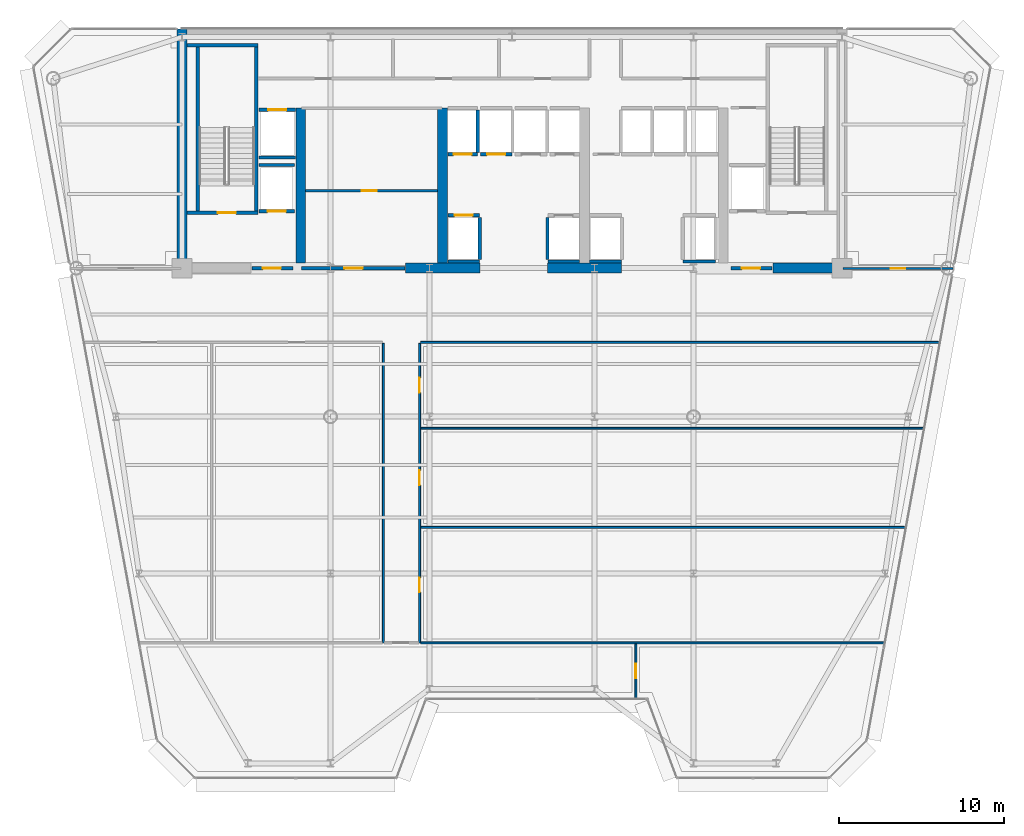
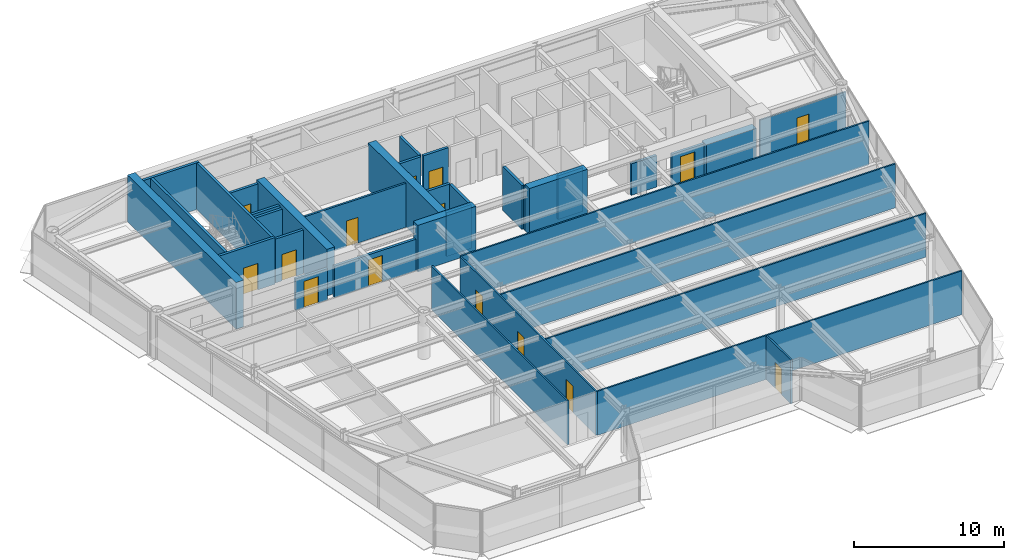
# One storey, part 10 of 16: 36 walls, 15 doors, 15 openings.
"""IFC4 building model written with IfcOpenShell, lengths in metres."""

from ifc_helpers import new_model, si_unit, direction, frame, frame_2d, origin, place, context, subcontext, project, spatial, rectangle, extrude, source, transform, mapped, material, layer, layer_set, type_object, element, fill, save


model = new_model("IFC4")

# Units and contexts
model_context = context("Model", 3, precision=1e-05, world=origin(), true_north=direction((0.0, 1.0)))
body_context = subcontext(model_context, "Body", "Model", "MODEL_VIEW")
ifc_project = project(units=[si_unit("LENGTHUNIT", "METRE"), si_unit("AREAUNIT", "SQUARE_METRE"), si_unit("VOLUMEUNIT", "CUBIC_METRE"), si_unit("PLANEANGLEUNIT", "RADIAN"), si_unit("MASSUNIT", "GRAM", prefix="KILO")], contexts=[model_context])

# Site, building, storey
site_placement = place(None, origin())
site = spatial("IfcSite", under=ifc_project, at=site_placement, CompositionType="ELEMENT")
building_placement = place(site_placement, origin())
building = spatial("IfcBuilding", under=site, at=building_placement, Name="Vaeldorn Concourse Tower", CompositionType="ELEMENT")
storey_placement = place(building_placement, frame((0.0, 0.0, 195.60009765625)))
storey = spatial("IfcBuildingStorey", under=building, at=storey_placement, Name="L50", CompositionType="ELEMENT", Elevation=195.60009765625)

# Walls
ifc_material_1 = material(Name="Concrete C50/60", Category="concrete")
ifc_layer_1 = layer(ifc_material_1, 0.60009765625)
ifc_layer_set_1 = layer_set([ifc_layer_1], Name="Concrete C50/60")
wall_type_1 = type_object("IfcWallType", Name="WL-CORE-600", PredefinedType="SHEAR", material=ifc_layer_set_1)
wall_1_placement = place(storey_placement, frame((14.0, 36.5, 0.0), z_axis=(0.0, 0.0, 1.0), x_axis=(0.0, 1.0, 0.0)))
element("IfcWall", 1, at=wall_1_placement, inside=storey, type_object=wall_type_1, Name="Rear Core Shear Wall L50 W1", PredefinedType="SHEAR", context=body_context, shape_type="SweptSolid", body=[
    extrude(rectangle(XDim=14.5, YDim=0.60009765625, at=frame_2d((7.25, 0.0))), origin(), (0.0, 0.0, 1.0), 3.7998046875),
])
for number, where, z_axis, x_axis, name in (
    (2, (27.550048828125, 36.5, 0.0), (0.0, 0.0, 1.0), (1.0, 0.0, 0.0), "Rear Core Shear Wall L50 S2"),
    (3, (36.14990234375, 36.5, 0.0), (0.0, 0.0, 1.0), (1.0, 0.0, 0.0), "Rear Core Shear Wall L50 S3"),
):
    element("IfcWall", number, at=place(storey_placement, frame(where, z_axis=z_axis, x_axis=x_axis)), inside=storey, type_object=wall_type_1, Name=name, PredefinedType="SHEAR", context=body_context, shape_type="SweptSolid", body=[
        extrude(rectangle(XDim=4.5, YDim=0.60009765625, at=frame_2d((2.25, 0.0))), origin(), (0.0, 0.0, 1.0), 3.7998046875),
    ])
wall_2_placement = place(storey_placement, frame((49.800048828125, 36.5, 0.0), z_axis=(0.0, 0.0, 1.0), x_axis=(1.0, 0.0, 0.0)))
element("IfcWall", 4, at=wall_2_placement, inside=storey, type_object=wall_type_1, Name="Rear Core Shear Wall L50 S4", PredefinedType="SHEAR", context=body_context, shape_type="SweptSolid", body=[
    extrude(rectangle(XDim=3.8798828125, YDim=0.60009765625, at=frame_2d((1.93994140625, 0.0))), origin(), (0.0, 0.0, 1.0), 2.579833984375),
])
for number, where, z_axis, x_axis, name in (
    (5, (21.199951171875, 36.820068359375, 0.0), (0.0, 0.0, 1.0), (0.0, 1.0, 0.0), "Rear Core Shear Wall L50 M1"),
    (6, (29.800048828125, 36.820068359375, 0.0), (0.0, 0.0, 1.0), (0.0, 1.0, 0.0), "Rear Core Shear Wall L50 M2"),
):
    element("IfcWall", number, at=place(storey_placement, frame(where, z_axis=z_axis, x_axis=x_axis)), inside=storey, type_object=wall_type_1, Name=name, PredefinedType="SHEAR", context=body_context, shape_type="SweptSolid", body=[
        extrude(rectangle(XDim=9.3798828125, YDim=0.60009765625, at=frame_2d((4.68994140625, 0.0))), origin(), (0.0, 0.0, 1.0), 3.7998046875),
    ])
ifc_material_2 = material(Name="Gypsum Board Partition", Category="gypsum")
ifc_layer_2 = layer(ifc_material_2, 0.1201171875)
ifc_layer_set_2 = layer_set([ifc_layer_2], Name="Gypsum Board Partition")
wall_type_2 = type_object("IfcWallType", Name="WL-PART-120", PredefinedType="PARTITIONING", material=ifc_layer_set_2)
wall_3_placement = place(storey_placement, frame((28.4599609375, 32.0, 0.0), z_axis=(0.0, 0.0, 1.0), x_axis=(1.0, 0.0, 0.0)))
element("IfcWall", 7, at=wall_3_placement, inside=storey, type_object=wall_type_2, Name="Interior Wall PW-L50-C2SE", PredefinedType="PARTITIONING", context=body_context, shape_type="SweptSolid", body=[
    extrude(rectangle(XDim=31.433837890625, YDim=0.1201171875, at=frame_2d((15.716796875, 0.0))), origin(), (0.0, 0.0, 1.0), 3.579833984375),
])
wall_4_placement = place(storey_placement, frame((26.199951171875, 13.800048828125, 0.0), z_axis=(0.0, 0.0, 1.0), x_axis=(0.0, 1.0, 0.0)))
element("IfcWall", 8, at=wall_4_placement, inside=storey, type_object=wall_type_2, Name="Interior Wall PW-L50-SP2W", PredefinedType="PARTITIONING", context=body_context, shape_type="SweptSolid", body=[
    extrude(rectangle(XDim=18.139892578125, YDim=0.1201171875, at=frame_2d((9.06982421875, 0.0))), origin(), (0.0, 0.0, 1.0), 3.579833984375),
])

# Wall, openings, doors
wall_5_placement = place(storey_placement, frame((28.39990234375, 13.800048828125, 0.0), z_axis=(0.0, 0.0, 1.0), x_axis=(0.0, 1.0, 0.0)))
wall_5 = element("IfcWall", 9, at=wall_5_placement, inside=storey, type_object=wall_type_2, Name="Interior Wall PW-L50-SP2E", PredefinedType="PARTITIONING", context=body_context, shape_type="SweptSolid", body=[
    extrude(rectangle(XDim=18.139892578125, YDim=0.1201171875, at=frame_2d((9.06982421875, 0.0))), origin(), (0.0, 0.0, 1.0), 3.579833984375),
])
opening_1_placement = place(wall_5_placement, frame((3.050048828125, 0.0, 0.0)))
opening_1 = element("IfcOpeningElement", 10, at=opening_1_placement, cuts=wall_5, Name="Opening D-03", PredefinedType="OPENING", context=body_context, shape_type="SweptSolid", body=[
    extrude(rectangle(XDim=0.89990234375, YDim=2.14990234375, at=frame_2d((0.449951171875, 1.074951171875))), frame((0.0, 0.070068359375, 0.0), z_axis=(0.0, -1.0, 0.0), x_axis=(1.0, 0.0, 0.0)), (0.0, 0.0, 1.0), 0.14013671875),
])
opening_2_placement = place(wall_5_placement, frame((9.550048828125, 0.0, 0.0)))
opening_2 = element("IfcOpeningElement", 11, at=opening_2_placement, cuts=wall_5, Name="Opening D-03", PredefinedType="OPENING", context=body_context, shape_type="SweptSolid", body=[
    extrude(rectangle(XDim=0.89990234375, YDim=2.14990234375, at=frame_2d((0.449951171875, 1.074951171875))), frame((0.0, 0.070068359375, 0.0), z_axis=(0.0, -1.0, 0.0), x_axis=(1.0, 0.0, 0.0)), (0.0, 0.0, 1.0), 0.14013671875),
])
opening_3_placement = place(wall_5_placement, frame((15.14990234375, 0.0, 0.0)))
opening_3 = element("IfcOpeningElement", 12, at=opening_3_placement, cuts=wall_5, Name="Opening D-03", PredefinedType="OPENING", context=body_context, shape_type="SweptSolid", body=[
    extrude(rectangle(XDim=0.89990234375, YDim=2.14990234375, at=frame_2d((0.449951171875, 1.074951171875))), frame((0.0, 0.070068359375, 0.0), z_axis=(0.0, -1.0, 0.0), x_axis=(1.0, 0.0, 0.0)), (0.0, 0.0, 1.0), 0.14013671875),
])
ifc_material_3 = material(Name="Acoustic Bronze-Framed Glass Door", Category="glass")
door_type_1 = type_object("IfcDoorType", Name="DR-INT-900", OperationType="NOTDEFINED", PredefinedType="DOOR", material=ifc_material_3)
shared_shape_1 = source(origin(), body_context, "Body", "SweptSolid", [
    extrude(rectangle(XDim=0.89990234375, YDim=2.14990234375, at=frame_2d((0.449951171875, 1.074951171875))), frame((0.0, 0.02490234375, 0.0), z_axis=(0.0, -1.0, 0.0), x_axis=(1.0, 0.0, 0.0)), (0.0, 0.0, 1.0), 0.050048828125),
])
door_1_placement = place(opening_1_placement, origin())
door_1 = element("IfcDoor", 13, at=door_1_placement, inside=storey, type_object=door_type_1, Name="Interior Door DR-L50-Z2E1", OperationType="SINGLE_SWING_RIGHT", OverallHeight=2.14990234375, OverallWidth=0.89990234375, PredefinedType="DOOR", context=body_context, shape_type="MappedRepresentation", body=[
    mapped(shared_shape_1, transform((0.0, 0.0, 0.0), scale=1.0)),
])
fill(opening_1, door_1)
door_2_placement = place(opening_2_placement, origin())
door_2 = element("IfcDoor", 14, at=door_2_placement, inside=storey, type_object=door_type_1, Name="Interior Door DR-L50-Z2E2", OperationType="SINGLE_SWING_LEFT", OverallHeight=2.14990234375, OverallWidth=0.89990234375, PredefinedType="DOOR", context=body_context, shape_type="MappedRepresentation", body=[
    mapped(shared_shape_1, transform((0.0, 0.0, 0.0), scale=1.0)),
])
fill(opening_2, door_2)
door_3_placement = place(opening_3_placement, origin())
door_3 = element("IfcDoor", 15, at=door_3_placement, inside=storey, type_object=door_type_1, Name="Interior Door DR-L50-Z2E3", OperationType="SINGLE_SWING_RIGHT", OverallHeight=2.14990234375, OverallWidth=0.89990234375, PredefinedType="DOOR", context=body_context, shape_type="MappedRepresentation", body=[
    mapped(shared_shape_1, transform((0.0, 0.0, 0.0), scale=1.0)),
])
fill(opening_3, door_3)

# Wall, opening, door
wall_6_placement = place(storey_placement, frame((54.06005859375, 36.47998046875, 0.0), z_axis=(0.0, 0.0, 1.0), x_axis=(1.0, 0.0, 0.0)))
wall_6 = element("IfcWall", 16, at=wall_6_placement, inside=storey, type_object=wall_type_2, Name="Interior Wall PW-L50-NES", PredefinedType="PARTITIONING", context=body_context, shape_type="SweptSolid", body=[
    extrude(rectangle(XDim=6.65087890625, YDim=0.1201171875, at=frame_2d((3.325439453125, 0.0))), origin(), (0.0, 0.0, 1.0), 2.969970703125),
])
opening_4_placement = place(wall_6_placement, frame((2.875, 0.0, 0.0)))
opening_4 = element("IfcOpeningElement", 17, at=opening_4_placement, cuts=wall_6, Name="Opening D-03", PredefinedType="OPENING", context=body_context, shape_type="SweptSolid", body=[
    extrude(rectangle(XDim=0.89990234375, YDim=2.14990234375, at=frame_2d((0.449951171875, 1.074951171875))), frame((0.0, 0.070068359375, 0.0), z_axis=(0.0, -1.0, 0.0), x_axis=(1.0, 0.0, 0.0)), (0.0, 0.0, 1.0), 0.14013671875),
])
door_4_placement = place(opening_4_placement, origin())
door_4 = element("IfcDoor", 18, at=door_4_placement, inside=storey, type_object=door_type_1, Name="Interior Door DR-L50-NEC", OperationType="SINGLE_SWING_RIGHT", OverallHeight=2.14990234375, OverallWidth=0.89990234375, PredefinedType="DOOR", context=body_context, shape_type="MappedRepresentation", body=[
    mapped(shared_shape_1, transform((0.0, 0.0, 0.0), scale=1.0)),
])
fill(opening_4, door_4)

# Wall
wall_7_placement = place(storey_placement, frame((28.4599609375, 13.800048828125, 0.0), z_axis=(0.0, 0.0, 1.0), x_axis=(1.0, 0.0, 0.0)))
element("IfcWall", 19, at=wall_7_placement, inside=storey, type_object=wall_type_2, Name="Interior Wall PW-L50-S2EL", PredefinedType="PARTITIONING", context=body_context, shape_type="SweptSolid", body=[
    extrude(rectangle(XDim=28.09228515625, YDim=0.1201171875, at=frame_2d((14.046142578125, 0.0))), origin(), (0.0, 0.0, 1.0), 3.579833984375),
])

# Wall, opening, door
wall_8_placement = place(storey_placement, frame((41.5, 10.43994140625, 0.0), z_axis=(0.0, 0.0, 1.0), x_axis=(0.0, 1.0, 0.0)))
wall_8 = element("IfcWall", 20, at=wall_8_placement, inside=storey, type_object=wall_type_2, Name="Interior Wall PW-L50-Z2SFX1", PredefinedType="PARTITIONING", context=body_context, shape_type="SweptSolid", body=[
    extrude(rectangle(XDim=3.300048828125, YDim=0.1201171875, at=frame_2d((1.64990234375, 0.0))), origin(), (0.0, 0.0, 1.0), 3.579833984375),
])
opening_5_placement = place(wall_8_placement, frame((1.199951171875, 0.0, 0.0)))
opening_5 = element("IfcOpeningElement", 21, at=opening_5_placement, cuts=wall_8, Name="Opening D-03", PredefinedType="OPENING", context=body_context, shape_type="SweptSolid", body=[
    extrude(rectangle(XDim=0.89990234375, YDim=2.14990234375, at=frame_2d((0.449951171875, 1.074951171875))), frame((0.0, 0.070068359375, 0.0), z_axis=(0.0, -1.0, 0.0), x_axis=(1.0, 0.0, 0.0)), (0.0, 0.0, 1.0), 0.14013671875),
])
door_5_placement = place(opening_5_placement, origin())
door_5 = element("IfcDoor", 22, at=door_5_placement, inside=storey, type_object=door_type_1, Name="Interior Door DR-L50-Z2SFX1", OperationType="SINGLE_SWING_RIGHT", OverallHeight=2.14990234375, OverallWidth=0.89990234375, PredefinedType="DOOR", context=body_context, shape_type="MappedRepresentation", body=[
    mapped(shared_shape_1, transform((0.0, 0.0, 0.0), scale=1.0)),
])
fill(opening_5, door_5)

# Walls
wall_9_placement = place(storey_placement, frame((28.4599609375, 20.800048828125, 0.0), z_axis=(0.0, 0.0, 1.0), x_axis=(1.0, 0.0, 0.0)))
element("IfcWall", 23, at=wall_9_placement, inside=storey, type_object=wall_type_2, Name="Interior Wall PW-L50-Z2EY1", PredefinedType="PARTITIONING", context=body_context, shape_type="SweptSolid", body=[
    extrude(rectangle(XDim=29.37744140625, YDim=0.1201171875, at=frame_2d((14.688720703125, 0.0))), origin(), (0.0, 0.0, 1.0), 3.579833984375),
])
wall_10_placement = place(storey_placement, frame((28.4599609375, 26.800048828125, 0.0), z_axis=(0.0, 0.0, 1.0), x_axis=(1.0, 0.0, 0.0)))
element("IfcWall", 24, at=wall_10_placement, inside=storey, type_object=wall_type_2, Name="Interior Wall PW-L50-Z2EY2", PredefinedType="PARTITIONING", context=body_context, shape_type="SweptSolid", body=[
    extrude(rectangle(XDim=30.479248046875, YDim=0.1201171875, at=frame_2d((15.23974609375, 0.0))), origin(), (0.0, 0.0, 1.0), 3.579833984375),
])

# Wall, opening, door
ifc_layer_3 = layer(ifc_material_2, 0.14990234375)
ifc_layer_set_3 = layer_set([ifc_layer_3], Name="Gypsum Board Partition")
wall_type_3 = type_object("IfcWallType", Name="WL-PART-150", PredefinedType="PARTITIONING", material=ifc_layer_set_3)
wall_11_placement = place(storey_placement, frame((21.5, 41.199951171875, 0.0), z_axis=(0.0, 0.0, 1.0), x_axis=(1.0, 0.0, 0.0)))
wall_11 = element("IfcWall", 25, at=wall_11_placement, inside=storey, type_object=wall_type_3, Name="Interior Wall CW-L50-R1M", PredefinedType="PARTITIONING", context=body_context, shape_type="SweptSolid", body=[
    extrude(rectangle(XDim=8.0, YDim=0.14990234375, at=frame_2d((4.0, 0.0))), origin(), (0.0, 0.0, 1.0), 3.579833984375),
])
opening_6_placement = place(wall_11_placement, frame((3.39990234375, 0.0, 0.0)))
opening_6 = element("IfcOpeningElement", 26, at=opening_6_placement, cuts=wall_11, Name="Opening D-02", PredefinedType="OPENING", context=body_context, shape_type="SweptSolid", body=[
    extrude(rectangle(XDim=0.89990234375, YDim=2.10009765625, at=frame_2d((0.449951171875, 1.050048828125))), frame((0.0, 0.0849609375, 0.0), z_axis=(0.0, -1.0, 0.0), x_axis=(1.0, 0.0, 0.0)), (0.0, 0.0, 1.0), 0.169921875),
])
ifc_material_4 = material(Name="Fire-Rated Timber Leaf", Category="wood")
door_type_2 = type_object("IfcDoorType", Name="DR-FD30-900", OperationType="NOTDEFINED", PredefinedType="DOOR", material=ifc_material_4)
shared_shape_2 = source(origin(), body_context, "Body", "SweptSolid", [
    extrude(rectangle(XDim=0.89990234375, YDim=2.10009765625, at=frame_2d((0.449951171875, 1.050048828125))), frame((0.0, 0.02490234375, 0.0), z_axis=(0.0, -1.0, 0.0), x_axis=(1.0, 0.0, 0.0)), (0.0, 0.0, 1.0), 0.050048828125),
])
door_6_placement = place(opening_6_placement, origin())
door_6 = element("IfcDoor", 27, at=door_6_placement, inside=storey, type_object=door_type_2, Name="Interior Door DR-L50-R1M", OperationType="SINGLE_SWING_RIGHT", OverallHeight=2.10009765625, OverallWidth=0.89990234375, PredefinedType="DOOR", context=body_context, shape_type="MappedRepresentation", body=[
    mapped(shared_shape_2, transform((0.0, 0.0, 0.0), scale=1.0)),
])
fill(opening_6, door_6)

ifc_layer_4 = layer(ifc_material_1, 0.199951171875)
ifc_layer_set_4 = layer_set([ifc_layer_4], Name="Concrete C50/60")
wall_type_4 = type_object("IfcWallType", Name="WL-SHAFT-200", PredefinedType="SOLIDWALL", material=ifc_layer_set_4)
wall_12_placement = place(storey_placement, frame((14.300048828125, 39.85009765625, 0.0), z_axis=(0.0, 0.0, 1.0), x_axis=(1.0, 0.0, 0.0)))
wall_12 = element("IfcWall", 28, at=wall_12_placement, inside=storey, type_object=wall_type_4, Name="Stair Shaft Wall CW-L50-ST-1-S", PredefinedType="SOLIDWALL", context=body_context, shape_type="SweptSolid", body=[
    extrude(rectangle(XDim=4.300048828125, YDim=0.199951171875, at=frame_2d((2.14990234375, 0.0))), origin(), (0.0, 0.0, 1.0), 3.7998046875),
])
opening_7_placement = place(wall_12_placement, frame((1.875, 0.0, 0.0)))
opening_7 = element("IfcOpeningElement", 29, at=opening_7_placement, cuts=wall_12, Name="Opening D-01", PredefinedType="OPENING", context=body_context, shape_type="SweptSolid", body=[
    extrude(rectangle(XDim=1.10009765625, YDim=2.14990234375, at=frame_2d((0.550048828125, 1.074951171875))), frame((0.0, 0.10986328125, 0.0), z_axis=(0.0, -1.0, 0.0), x_axis=(1.0, 0.0, 0.0)), (0.0, 0.0, 1.0), 0.219970703125),
])
ifc_material_5 = material(Name="Fire-Rated Timber and Steel Leaf", Category="steel")
door_type_3 = type_object("IfcDoorType", Name="DR-FD60-1100", OperationType="NOTDEFINED", PredefinedType="DOOR", material=ifc_material_5)
shared_shape_3 = source(origin(), body_context, "Body", "SweptSolid", [
    extrude(rectangle(XDim=1.10009765625, YDim=2.14990234375, at=frame_2d((0.550048828125, 1.074951171875))), frame((0.0, 0.02490234375, 0.0), z_axis=(0.0, -1.0, 0.0), x_axis=(1.0, 0.0, 0.0)), (0.0, 0.0, 1.0), 0.050048828125),
])
door_7_placement = place(opening_7_placement, origin())
door_7 = element("IfcDoor", 30, at=door_7_placement, inside=storey, type_object=door_type_3, Name="Interior Door DR-L50-ST-1", OperationType="SINGLE_SWING_LEFT", OverallHeight=2.14990234375, OverallWidth=1.10009765625, PredefinedType="DOOR", context=body_context, shape_type="MappedRepresentation", body=[
    mapped(shared_shape_3, transform((0.0, 0.0, 0.0), scale=1.0)),
])
fill(opening_7, door_7)

# Walls
wall_13_placement = place(storey_placement, frame((14.300048828125, 50.0, 0.0), z_axis=(0.0, 0.0, 1.0), x_axis=(1.0, 0.0, 0.0)))
element("IfcWall", 31, at=wall_13_placement, inside=storey, type_object=wall_type_4, Name="Stair Shaft Wall CW-L50-ST-1-N", PredefinedType="SOLIDWALL", context=body_context, shape_type="SweptSolid", body=[
    extrude(rectangle(XDim=4.300048828125, YDim=0.199951171875, at=frame_2d((2.14990234375, 0.0))), origin(), (0.0, 0.0, 1.0), 3.7998046875),
])
for number, where, z_axis, x_axis, name in (
    (32, (14.949951171875, 39.9599609375, 0.0), (0.0, 0.0, 1.0), (0.0, 1.0, 0.0), "Stair Shaft Wall CW-L50-ST-1-W"),
    (33, (18.5, 39.9599609375, 0.0), (0.0, 0.0, 1.0), (0.0, 1.0, 0.0), "Stair Shaft Wall CW-L50-ST-1-E"),
):
    element("IfcWall", number, at=place(storey_placement, frame(where, z_axis=z_axis, x_axis=x_axis)), inside=storey, type_object=wall_type_4, Name=name, PredefinedType="SOLIDWALL", context=body_context, shape_type="SweptSolid", body=[
        extrude(rectangle(XDim=9.929931640625, YDim=0.199951171875, at=frame_2d((4.96484375, 0.0))), origin(), (0.0, 0.0, 1.0), 3.7998046875),
    ])

# Wall, opening, door
wall_14_placement = place(storey_placement, frame((18.25, 36.5, 0.0), z_axis=(0.0, 0.0, 1.0), x_axis=(1.0, 0.0, 0.0)))
wall_14 = element("IfcWall", 34, at=wall_14_placement, inside=storey, type_object=wall_type_4, Name="Interior Wall CW-L50-FF1S", PredefinedType="SOLIDWALL", context=body_context, shape_type="SweptSolid", body=[
    extrude(rectangle(XDim=2.469970703125, YDim=0.199951171875, at=frame_2d((1.23486328125, 0.0))), origin(), (0.0, 0.0, 1.0), 2.56982421875),
])
opening_8_placement = place(wall_14_placement, frame((0.64990234375, 0.0, 0.0)))
opening_8 = element("IfcOpeningElement", 35, at=opening_8_placement, cuts=wall_14, Name="Opening D-01", PredefinedType="OPENING", context=body_context, shape_type="SweptSolid", body=[
    extrude(rectangle(XDim=1.10009765625, YDim=2.14990234375, at=frame_2d((0.550048828125, 1.074951171875))), frame((0.0, 0.10986328125, 0.0), z_axis=(0.0, -1.0, 0.0), x_axis=(1.0, 0.0, 0.0)), (0.0, 0.0, 1.0), 0.219970703125),
])
door_8_placement = place(opening_8_placement, origin())
door_8 = element("IfcDoor", 36, at=door_8_placement, inside=storey, type_object=door_type_3, Name="Interior Door DR-L50-FF1E", OperationType="SINGLE_SWING_RIGHT", OverallHeight=2.14990234375, OverallWidth=1.10009765625, PredefinedType="DOOR", context=body_context, shape_type="MappedRepresentation", body=[
    mapped(shared_shape_3, transform((0.0, 0.0, 0.0), scale=1.0)),
])
fill(opening_8, door_8)

wall_15_placement = place(storey_placement, frame((47.280029296875, 36.5, 0.0), z_axis=(0.0, 0.0, 1.0), x_axis=(1.0, 0.0, 0.0)))
wall_15 = element("IfcWall", 37, at=wall_15_placement, inside=storey, type_object=wall_type_4, Name="Interior Wall CW-L50-FF2S", PredefinedType="SOLIDWALL", context=body_context, shape_type="SweptSolid", body=[
    extrude(rectangle(XDim=2.469970703125, YDim=0.199951171875, at=frame_2d((1.23486328125, 0.0))), origin(), (0.0, 0.0, 1.0), 2.56982421875),
])
opening_9_placement = place(wall_15_placement, frame((0.64990234375, 0.0, 0.0)))
opening_9 = element("IfcOpeningElement", 38, at=opening_9_placement, cuts=wall_15, Name="Opening D-01", PredefinedType="OPENING", context=body_context, shape_type="SweptSolid", body=[
    extrude(rectangle(XDim=1.10009765625, YDim=2.14990234375, at=frame_2d((0.550048828125, 1.074951171875))), frame((0.0, 0.10986328125, 0.0), z_axis=(0.0, -1.0, 0.0), x_axis=(1.0, 0.0, 0.0)), (0.0, 0.0, 1.0), 0.219970703125),
])
door_9_placement = place(opening_9_placement, origin())
door_9 = element("IfcDoor", 39, at=door_9_placement, inside=storey, type_object=door_type_3, Name="Interior Door DR-L50-FF2W", OperationType="SINGLE_SWING_LEFT", OverallHeight=2.14990234375, OverallWidth=1.10009765625, PredefinedType="DOOR", context=body_context, shape_type="MappedRepresentation", body=[
    mapped(shared_shape_3, transform((0.0, 0.0, 0.0), scale=1.0)),
])
fill(opening_9, door_9)

wall_16_placement = place(storey_placement, frame((30.110107421875, 39.699951171875, 0.0), z_axis=(0.0, 0.0, 1.0), x_axis=(1.0, 0.0, 0.0)))
wall_16 = element("IfcWall", 40, at=wall_16_placement, inside=storey, type_object=wall_type_4, Name="Interior Wall CW-L50-LF-LF-07", PredefinedType="SOLIDWALL", context=body_context, shape_type="SweptSolid", body=[
    extrude(rectangle(XDim=1.919921875, YDim=0.199951171875, at=frame_2d((0.9599609375, 0.0))), origin(), (0.0, 0.0, 1.0), 3.579833984375),
])
opening_10_placement = place(wall_16_placement, frame((0.409912109375, 0.0, 0.0)))
opening_10 = element("IfcOpeningElement", 41, at=opening_10_placement, cuts=wall_16, Name="Opening LD-1", PredefinedType="OPENING", context=body_context, shape_type="SweptSolid", body=[
    extrude(rectangle(XDim=1.10009765625, YDim=2.14990234375, at=frame_2d((0.550048828125, 1.074951171875))), frame((0.0, 0.10986328125, 0.0), z_axis=(0.0, -1.0, 0.0), x_axis=(1.0, 0.0, 0.0)), (0.0, 0.0, 1.0), 0.219970703125),
])
ifc_material_6 = material(Name="Anodised Bronze Aluminium", Category="aluminium")
door_type_4 = type_object("IfcDoorType", Name="DR-LIFT-SLIDE-1100", OperationType="DOUBLE_DOOR_SLIDING", PredefinedType="DOOR", material=ifc_material_6)
door_10_placement = place(opening_10_placement, origin())
door_10 = element("IfcDoor", 42, at=door_10_placement, inside=storey, type_object=door_type_4, Name="Lift Landing Door LD-L50-LF-07", OperationType="DOUBLE_DOOR_SLIDING", OverallHeight=2.14990234375, OverallWidth=1.10009765625, PredefinedType="DOOR", context=body_context, shape_type="MappedRepresentation", body=[
    mapped(shared_shape_3, transform((0.0, 0.0, 0.0), scale=1.0)),
])
fill(opening_10, door_10)

# Walls
wall_17_placement = place(storey_placement, frame((30.110107421875, 36.89990234375, 0.0), z_axis=(0.0, 0.0, 1.0), x_axis=(1.0, 0.0, 0.0)))
element("IfcWall", 43, at=wall_17_placement, inside=storey, type_object=wall_type_4, Name="Interior Wall CW-L50-LFB-LF-07", PredefinedType="SOLIDWALL", context=body_context, shape_type="SweptSolid", body=[
    extrude(rectangle(XDim=1.919921875, YDim=0.199951171875, at=frame_2d((0.9599609375, 0.0))), origin(), (0.0, 0.0, 1.0), 3.579833984375),
])
wall_18_placement = place(storey_placement, frame((32.050048828125, 37.02001953125, 0.0), z_axis=(0.0, 0.0, 1.0), x_axis=(0.0, 1.0, 0.0)))
element("IfcWall", 44, at=wall_18_placement, inside=storey, type_object=wall_type_4, Name="Interior Wall CW-L50-LFE-LF-07", PredefinedType="SOLIDWALL", context=body_context, shape_type="SweptSolid", body=[
    extrude(rectangle(XDim=2.56005859375, YDim=0.199951171875, at=frame_2d((1.280029296875, 0.0))), origin(), (0.0, 0.0, 1.0), 3.579833984375),
])
wall_19_placement = place(storey_placement, frame((36.169921875, 36.89990234375, 0.0), z_axis=(0.0, 0.0, 1.0), x_axis=(1.0, 0.0, 0.0)))
element("IfcWall", 45, at=wall_19_placement, inside=storey, type_object=wall_type_4, Name="Interior Wall CW-L50-LFB-LF-08", PredefinedType="SOLIDWALL", context=body_context, shape_type="SweptSolid", body=[
    extrude(rectangle(XDim=1.920166015625, YDim=0.199951171875, at=frame_2d((0.9599609375, 0.0))), origin(), (0.0, 0.0, 1.0), 3.579833984375),
])
wall_20_placement = place(storey_placement, frame((36.14990234375, 37.02001953125, 0.0), z_axis=(0.0, 0.0, 1.0), x_axis=(0.0, 1.0, 0.0)))
element("IfcWall", 46, at=wall_20_placement, inside=storey, type_object=wall_type_4, Name="Interior Wall CW-L50-LFW-LF-08", PredefinedType="SOLIDWALL", context=body_context, shape_type="SweptSolid", body=[
    extrude(rectangle(XDim=2.56005859375, YDim=0.199951171875, at=frame_2d((1.280029296875, 0.0))), origin(), (0.0, 0.0, 1.0), 3.579833984375),
])

# Wall, opening, door
wall_21_placement = place(storey_placement, frame((30.110107421875, 43.39990234375, 0.0), z_axis=(0.0, 0.0, 1.0), x_axis=(1.0, 0.0, 0.0)))
wall_21 = element("IfcWall", 47, at=wall_21_placement, inside=storey, type_object=wall_type_4, Name="Interior Wall CW-L50-LF-LF-09", PredefinedType="SOLIDWALL", context=body_context, shape_type="SweptSolid", body=[
    extrude(rectangle(XDim=1.7998046875, YDim=0.199951171875, at=frame_2d((0.89990234375, 0.0))), origin(), (0.0, 0.0, 1.0), 3.579833984375),
])
opening_11_placement = place(wall_21_placement, frame((0.35009765625, 0.0, 0.0)))
opening_11 = element("IfcOpeningElement", 48, at=opening_11_placement, cuts=wall_21, Name="Opening LD-1", PredefinedType="OPENING", context=body_context, shape_type="SweptSolid", body=[
    extrude(rectangle(XDim=1.10009765625, YDim=2.14990234375, at=frame_2d((0.550048828125, 1.074951171875))), frame((0.0, 0.10986328125, 0.0), z_axis=(0.0, -1.0, 0.0), x_axis=(1.0, 0.0, 0.0)), (0.0, 0.0, 1.0), 0.219970703125),
])
door_11_placement = place(opening_11_placement, origin())
door_11 = element("IfcDoor", 49, at=door_11_placement, inside=storey, type_object=door_type_4, Name="Lift Landing Door LD-L50-LF-09", OperationType="DOUBLE_DOOR_SLIDING", OverallHeight=2.14990234375, OverallWidth=1.10009765625, PredefinedType="DOOR", context=body_context, shape_type="MappedRepresentation", body=[
    mapped(shared_shape_3, transform((0.0, 0.0, 0.0), scale=1.0)),
])
fill(opening_11, door_11)

# Wall
wall_22_placement = place(storey_placement, frame((31.929931640625, 43.52001953125, 0.0), z_axis=(0.0, 0.0, 1.0), x_axis=(0.0, 1.0, 0.0)))
element("IfcWall", 50, at=wall_22_placement, inside=storey, type_object=wall_type_4, Name="Interior Wall CW-L50-LFE-LF-09", PredefinedType="SOLIDWALL", context=body_context, shape_type="SweptSolid", body=[
    extrude(rectangle(XDim=2.56005859375, YDim=0.199951171875, at=frame_2d((1.280029296875, 0.0))), origin(), (0.0, 0.0, 1.0), 3.579833984375),
])

# Wall, opening, door
wall_23_placement = place(storey_placement, frame((32.090087890625, 43.39990234375, 0.0), z_axis=(0.0, 0.0, 1.0), x_axis=(1.0, 0.0, 0.0)))
wall_23 = element("IfcWall", 51, at=wall_23_placement, inside=storey, type_object=wall_type_4, Name="Interior Wall CW-L50-LF-LF-10", PredefinedType="SOLIDWALL", context=body_context, shape_type="SweptSolid", body=[
    extrude(rectangle(XDim=1.919921875, YDim=0.199951171875, at=frame_2d((0.9599609375, 0.0))), origin(), (0.0, 0.0, 1.0), 3.579833984375),
])
opening_12_placement = place(wall_23_placement, frame((0.409912109375, 0.0, 0.0)))
opening_12 = element("IfcOpeningElement", 52, at=opening_12_placement, cuts=wall_23, Name="Opening LD-1", PredefinedType="OPENING", context=body_context, shape_type="SweptSolid", body=[
    extrude(rectangle(XDim=1.10009765625, YDim=2.14990234375, at=frame_2d((0.550048828125, 1.074951171875))), frame((0.0, 0.10986328125, 0.0), z_axis=(0.0, -1.0, 0.0), x_axis=(1.0, 0.0, 0.0)), (0.0, 0.0, 1.0), 0.219970703125),
])
door_12_placement = place(opening_12_placement, origin())
door_12 = element("IfcDoor", 53, at=door_12_placement, inside=storey, type_object=door_type_4, Name="Lift Landing Door LD-L50-LF-10", OperationType="DOUBLE_DOOR_SLIDING", OverallHeight=2.14990234375, OverallWidth=1.10009765625, PredefinedType="DOOR", context=body_context, shape_type="MappedRepresentation", body=[
    mapped(shared_shape_3, transform((0.0, 0.0, 0.0), scale=1.0)),
])
fill(opening_12, door_12)

# Walls
wall_24_placement = place(storey_placement, frame((38.7099609375, 36.89990234375, 0.0), z_axis=(0.0, 0.0, 1.0), x_axis=(1.0, 0.0, 0.0)))
element("IfcWall", 54, at=wall_24_placement, inside=storey, type_object=wall_type_4, Name="Interior Wall CW-L50-LFB-LF-13", PredefinedType="SOLIDWALL", context=body_context, shape_type="SweptSolid", body=[
    extrude(rectangle(XDim=1.919921875, YDim=0.199951171875, at=frame_2d((0.9599609375, 0.0))), origin(), (0.0, 0.0, 1.0), 3.579833984375),
])
wall_25_placement = place(storey_placement, frame((44.3701171875, 36.89990234375, 0.0), z_axis=(0.0, 0.0, 1.0), x_axis=(1.0, 0.0, 0.0)))
element("IfcWall", 55, at=wall_25_placement, inside=storey, type_object=wall_type_4, Name="Interior Wall CW-L50-LFB-LF-14", PredefinedType="SOLIDWALL", context=body_context, shape_type="SweptSolid", body=[
    extrude(rectangle(XDim=1.9599609375, YDim=0.199951171875, at=frame_2d((0.97998046875, 0.0))), origin(), (0.0, 0.0, 1.0), 2.56982421875),
])

# Wall, opening, door
wall_26_placement = place(storey_placement, frame((18.669921875, 46.10009765625, 0.0), z_axis=(0.0, 0.0, 1.0), x_axis=(1.0, 0.0, 0.0)))
wall_26 = element("IfcWall", 56, at=wall_26_placement, inside=storey, type_object=wall_type_4, Name="Interior Wall CW-L50-LF-LF-SV1", PredefinedType="SOLIDWALL", context=body_context, shape_type="SweptSolid", body=[
    extrude(rectangle(XDim=2.219970703125, YDim=0.199951171875, at=frame_2d((1.10986328125, 0.0))), origin(), (0.0, 0.0, 1.0), 3.579833984375),
])
opening_13_placement = place(wall_26_placement, frame((0.56005859375, 0.0, 0.0)))
opening_13 = element("IfcOpeningElement", 57, at=opening_13_placement, cuts=wall_26, Name="Opening LD-1", PredefinedType="OPENING", context=body_context, shape_type="SweptSolid", body=[
    extrude(rectangle(XDim=1.10009765625, YDim=2.14990234375, at=frame_2d((0.550048828125, 1.074951171875))), frame((0.0, 0.10986328125, 0.0), z_axis=(0.0, -1.0, 0.0), x_axis=(1.0, 0.0, 0.0)), (0.0, 0.0, 1.0), 0.219970703125),
])
door_13_placement = place(opening_13_placement, origin())
door_13 = element("IfcDoor", 58, at=door_13_placement, inside=storey, type_object=door_type_4, Name="Lift Landing Door LD-L50-LF-SV1", OperationType="DOUBLE_DOOR_SLIDING", OverallHeight=2.14990234375, OverallWidth=1.10009765625, PredefinedType="DOOR", context=body_context, shape_type="MappedRepresentation", body=[
    mapped(shared_shape_3, transform((0.0, 0.0, 0.0), scale=1.0)),
])
fill(opening_13, door_13)

# Wall
wall_27_placement = place(storey_placement, frame((18.669921875, 43.199951171875, 0.0), z_axis=(0.0, 0.0, 1.0), x_axis=(1.0, 0.0, 0.0)))
element("IfcWall", 59, at=wall_27_placement, inside=storey, type_object=wall_type_4, Name="Interior Wall CW-L50-LFB-LF-SV1", PredefinedType="SOLIDWALL", context=body_context, shape_type="SweptSolid", body=[
    extrude(rectangle(XDim=2.219970703125, YDim=0.199951171875, at=frame_2d((1.10986328125, 0.0))), origin(), (0.0, 0.0, 1.0), 3.579833984375),
])

# Wall, opening, door
wall_28_placement = place(storey_placement, frame((18.669921875, 39.949951171875, 0.0), z_axis=(0.0, 0.0, 1.0), x_axis=(1.0, 0.0, 0.0)))
wall_28 = element("IfcWall", 60, at=wall_28_placement, inside=storey, type_object=wall_type_4, Name="Interior Wall CW-L50-LF-LF-FF1", PredefinedType="SOLIDWALL", context=body_context, shape_type="SweptSolid", body=[
    extrude(rectangle(XDim=2.16015625, YDim=0.199951171875, at=frame_2d((1.080078125, 0.0))), origin(), (0.0, 0.0, 1.0), 3.579833984375),
])
opening_14_placement = place(wall_28_placement, frame((0.530029296875, 0.0, 0.0)))
opening_14 = element("IfcOpeningElement", 61, at=opening_14_placement, cuts=wall_28, Name="Opening LD-1", PredefinedType="OPENING", context=body_context, shape_type="SweptSolid", body=[
    extrude(rectangle(XDim=1.10009765625, YDim=2.14990234375, at=frame_2d((0.550048828125, 1.074951171875))), frame((0.0, 0.10986328125, 0.0), z_axis=(0.0, -1.0, 0.0), x_axis=(1.0, 0.0, 0.0)), (0.0, 0.0, 1.0), 0.219970703125),
])
door_14_placement = place(opening_14_placement, origin())
door_14 = element("IfcDoor", 62, at=door_14_placement, inside=storey, type_object=door_type_4, Name="Lift Landing Door LD-L50-LF-FF1", OperationType="DOUBLE_DOOR_SLIDING", OverallHeight=2.14990234375, OverallWidth=1.10009765625, PredefinedType="DOOR", context=body_context, shape_type="MappedRepresentation", body=[
    mapped(shared_shape_3, transform((0.0, 0.0, 0.0), scale=1.0)),
])
fill(opening_14, door_14)

# Wall
wall_29_placement = place(storey_placement, frame((18.669921875, 42.75, 0.0), z_axis=(0.0, 0.0, 1.0), x_axis=(1.0, 0.0, 0.0)))
element("IfcWall", 63, at=wall_29_placement, inside=storey, type_object=wall_type_4, Name="Interior Wall CW-L50-LFB-LF-FF1", PredefinedType="SOLIDWALL", context=body_context, shape_type="SweptSolid", body=[
    extrude(rectangle(XDim=2.16015625, YDim=0.199951171875, at=frame_2d((1.080078125, 0.0))), origin(), (0.0, 0.0, 1.0), 3.579833984375),
])

# Wall, opening, door
wall_30_placement = place(storey_placement, frame((21.25, 36.5, 0.0), z_axis=(0.0, 0.0, 1.0), x_axis=(1.0, 0.0, 0.0)))
wall_30 = element("IfcWall", 64, at=wall_30_placement, inside=storey, type_object=wall_type_4, Name="Interior Wall CW-L50-R1S", PredefinedType="SOLIDWALL", context=body_context, shape_type="SweptSolid", body=[
    extrude(rectangle(XDim=6.27001953125, YDim=0.199951171875, at=frame_2d((3.135009765625, 0.0))), origin(), (0.0, 0.0, 1.0), 2.56982421875),
])
opening_15_placement = place(wall_30_placement, frame((2.60009765625, 0.0, 0.0)))
opening_15 = element("IfcOpeningElement", 65, at=opening_15_placement, cuts=wall_30, Name="Opening D-01", PredefinedType="OPENING", context=body_context, shape_type="SweptSolid", body=[
    extrude(rectangle(XDim=1.10009765625, YDim=2.14990234375, at=frame_2d((0.550048828125, 1.074951171875))), frame((0.0, 0.10986328125, 0.0), z_axis=(0.0, -1.0, 0.0), x_axis=(1.0, 0.0, 0.0)), (0.0, 0.0, 1.0), 0.219970703125),
])
door_15_placement = place(opening_15_placement, origin())
door_15 = element("IfcDoor", 66, at=door_15_placement, inside=storey, type_object=door_type_3, Name="Interior Door DR-L50-R1S", OperationType="SINGLE_SWING_LEFT", OverallHeight=2.14990234375, OverallWidth=1.10009765625, PredefinedType="DOOR", context=body_context, shape_type="MappedRepresentation", body=[
    mapped(shared_shape_3, transform((0.0, 0.0, 0.0), scale=1.0)),
])
fill(opening_15, door_15)

save(model, "model.ifc")
